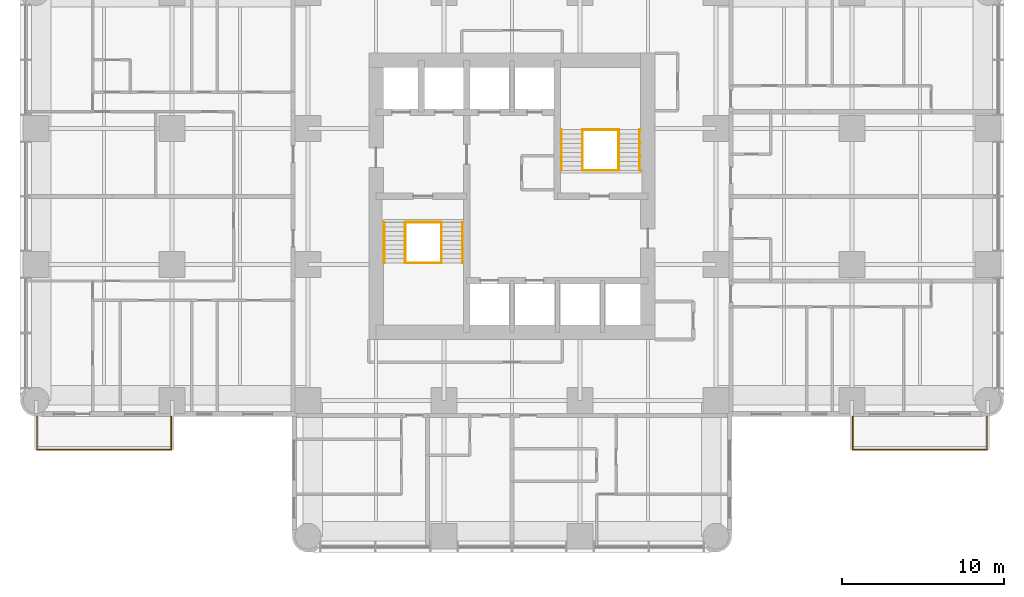
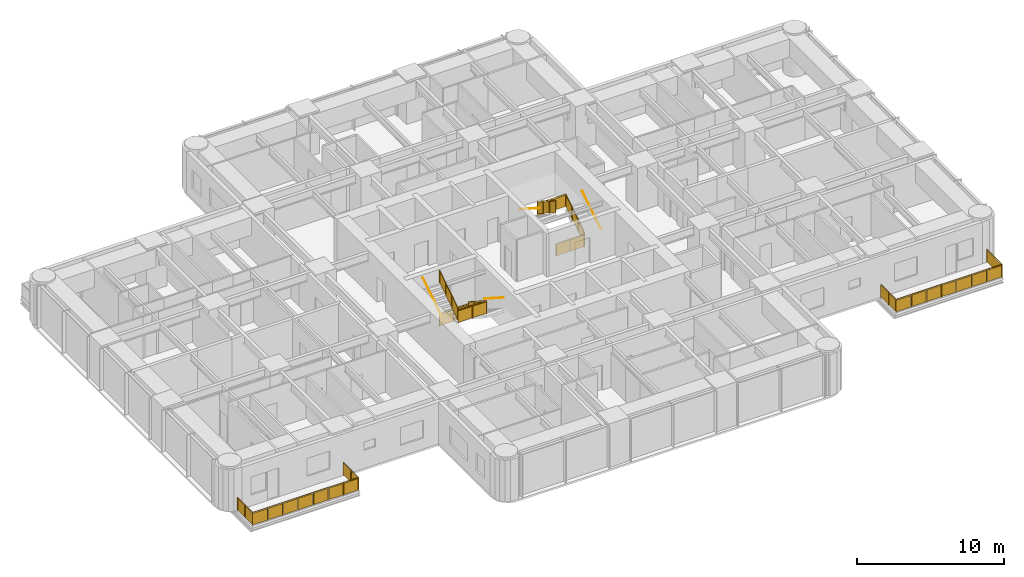
# One storey, part 13 of 14: 14 railings.
"""IFC4 building model written with IfcOpenShell, lengths in metres."""

from ifc_helpers import new_model, si_unit, direction, frame, origin, origin_2d, place, context, subcontext, project, spatial, polyline, circle, outline, extrude, material, constituent, constituent_set, type_object, element, save


model = new_model("IFC4")

# Units and contexts
model_context = context("Model", 3, precision=1e-05, world=origin(), true_north=direction((0.0, 1.0)))
body_context = subcontext(model_context, "Body", "Model", "MODEL_VIEW")
ifc_project = project(units=[si_unit("LENGTHUNIT", "METRE"), si_unit("AREAUNIT", "SQUARE_METRE"), si_unit("VOLUMEUNIT", "CUBIC_METRE"), si_unit("PLANEANGLEUNIT", "RADIAN"), si_unit("MASSUNIT", "GRAM", prefix="KILO")], contexts=[model_context])

# Site, building, storey
site_placement = place(None, origin())
site = spatial("IfcSite", under=ifc_project, at=site_placement, CompositionType="ELEMENT")
building_placement = place(site_placement, origin())
building = spatial("IfcBuilding", under=site, at=building_placement, Name="Torre Alcanfor", CompositionType="ELEMENT")
storey_placement = place(building_placement, frame((0.0, 0.0, 166.5)))
storey = spatial("IfcBuildingStorey", under=building, at=storey_placement, Name="L43", CompositionType="ELEMENT", Elevation=166.5)

# Railings
ifc_material_1 = material(Name="Laminated safety glass", Category="glass")
ifc_constituent_1 = constituent(ifc_material_1, Name="Infill")
ifc_material_2 = material(Name="Stainless steel ASTM A554 Grade MT 316L tube", Category="steel")
ifc_constituent_2 = constituent(ifc_material_2, Name="Posts and rail")
ifc_constituent_set = constituent_set(constituents=[ifc_constituent_1, ifc_constituent_2], Name="Balcony guard glass 1100")
railing_type_1 = type_object("IfcRailingType", Name="Balcony guard glass 1100", PredefinedType="BALUSTRADE", material=ifc_constituent_set)
railing_1_placement = place(storey_placement, frame((50.449951171875, 15.800048828125, 0.0)))
element("IfcRailing", 1, at=railing_1_placement, inside=storey, type_object=railing_type_1, Name="Balcony guard L43-E2", PredefinedType="BALUSTRADE", context=body_context, shape_type="SweptSolid", body=[
    extrude(circle(Radius=0.02392578125, at=origin_2d()), frame((0.0, 0.0, 1.076171875), z_axis=(0.0, -1.0, 0.0), x_axis=(1.0, 0.0, 0.0)), (0.0, 0.0, 1.0), 2.050048828125),
    extrude(circle(Radius=0.02392578125, at=origin_2d()), frame((0.0, -2.050048828125, 1.076171875), z_axis=(1.0, 0.0, 0.0), x_axis=(0.0, 1.0, 0.0)), (0.0, 0.0, 1.0), 8.300048828125),
    extrude(circle(Radius=0.02392578125, at=origin_2d()), frame((8.300048828125, -2.050048828125, 1.076171875), z_axis=(0.0, 1.0, 0.0), x_axis=(-1.0, 0.0, 0.0)), (0.0, 0.0, 1.0), 2.050048828125),
    extrude(circle(Radius=0.02099609375, at=origin_2d()), origin(), (0.0, 0.0, 1.0), 1.052001953125),
    extrude(circle(Radius=0.02099609375, at=origin_2d()), frame((0.0, -1.02490234375, 0.0)), (0.0, 0.0, 1.0), 1.052001953125),
    extrude(circle(Radius=0.02099609375, at=origin_2d()), frame((0.0, -2.050048828125, 0.0)), (0.0, 0.0, 1.0), 1.052001953125),
    extrude(circle(Radius=0.02099609375, at=origin_2d()), frame((1.185791015625, -2.050048828125, 0.0)), (0.0, 0.0, 1.0), 1.052001953125),
    extrude(circle(Radius=0.02099609375, at=origin_2d()), frame((2.371337890625, -2.050048828125, 0.0)), (0.0, 0.0, 1.0), 1.052001953125),
    extrude(circle(Radius=0.02099609375, at=origin_2d()), frame((3.55712890625, -2.050048828125, 0.0)), (0.0, 0.0, 1.0), 1.052001953125),
    extrude(circle(Radius=0.02099609375, at=origin_2d()), frame((4.742919921875, -2.050048828125, 0.0)), (0.0, 0.0, 1.0), 1.052001953125),
    extrude(circle(Radius=0.02099609375, at=origin_2d()), frame((5.9287109375, -2.050048828125, 0.0)), (0.0, 0.0, 1.0), 1.052001953125),
    extrude(circle(Radius=0.02099609375, at=origin_2d()), frame((7.1142578125, -2.050048828125, 0.0)), (0.0, 0.0, 1.0), 1.052001953125),
    extrude(circle(Radius=0.02099609375, at=origin_2d()), frame((8.300048828125, -2.050048828125, 0.0)), (0.0, 0.0, 1.0), 1.052001953125),
    extrude(circle(Radius=0.02099609375, at=origin_2d()), frame((8.300048828125, -1.02490234375, 0.0)), (0.0, 0.0, 1.0), 1.052001953125),
    extrude(circle(Radius=0.02099609375, at=origin_2d()), frame((8.300048828125, 0.0, 0.0)), (0.0, 0.0, 1.0), 1.052001953125),
    extrude(outline(polyline([(0.041015625, 0.050048828125), (0.984130859375, 0.050048828125), (0.984130859375, 1.001953125), (0.041015625, 1.001953125), (0.041015625, 0.050048828125)])), frame((0.005859375, 0.0, 0.0), z_axis=(-1.0, 0.0, 0.0), x_axis=(0.0, -1.0, 0.0)), (0.0, 0.0, 1.0), 0.011962890625),
    extrude(outline(polyline([(1.06591796875, 0.050048828125), (2.009033203125, 0.050048828125), (2.009033203125, 1.001953125), (1.06591796875, 1.001953125), (1.06591796875, 0.050048828125)])), frame((0.005859375, 0.0, 0.0), z_axis=(-1.0, 0.0, 0.0), x_axis=(0.0, -1.0, 0.0)), (0.0, 0.0, 1.0), 0.011962890625),
    extrude(outline(polyline([(0.041015625, 0.050048828125), (1.144775390625, 0.050048828125), (1.144775390625, 1.001953125), (0.041015625, 1.001953125), (0.041015625, 0.050048828125)])), frame((0.0, -2.0439453125, 0.0), z_axis=(0.0, -1.0, 0.0), x_axis=(1.0, 0.0, 0.0)), (0.0, 0.0, 1.0), 0.011962890625),
    extrude(outline(polyline([(1.226806640625, 0.050048828125), (2.330322265625, 0.050048828125), (2.330322265625, 1.001953125), (1.226806640625, 1.001953125), (1.226806640625, 0.050048828125)])), frame((0.0, -2.0439453125, 0.0), z_axis=(0.0, -1.0, 0.0), x_axis=(1.0, 0.0, 0.0)), (0.0, 0.0, 1.0), 0.011962890625),
    extrude(outline(polyline([(2.412353515625, 0.050048828125), (3.51611328125, 0.050048828125), (3.51611328125, 1.001953125), (2.412353515625, 1.001953125), (2.412353515625, 0.050048828125)])), frame((0.0, -2.0439453125, 0.0), z_axis=(0.0, -1.0, 0.0), x_axis=(1.0, 0.0, 0.0)), (0.0, 0.0, 1.0), 0.011962890625),
    extrude(outline(polyline([(3.59814453125, 0.050048828125), (4.701904296875, 0.050048828125), (4.701904296875, 1.001953125), (3.59814453125, 1.001953125), (3.59814453125, 0.050048828125)])), frame((0.0, -2.0439453125, 0.0), z_axis=(0.0, -1.0, 0.0), x_axis=(1.0, 0.0, 0.0)), (0.0, 0.0, 1.0), 0.011962890625),
    extrude(outline(polyline([(4.783935546875, 0.050048828125), (5.8876953125, 0.050048828125), (5.8876953125, 1.001953125), (4.783935546875, 1.001953125), (4.783935546875, 0.050048828125)])), frame((0.0, -2.0439453125, 0.0), z_axis=(0.0, -1.0, 0.0), x_axis=(1.0, 0.0, 0.0)), (0.0, 0.0, 1.0), 0.011962890625),
    extrude(outline(polyline([(5.9697265625, 0.050048828125), (7.0732421875, 0.050048828125), (7.0732421875, 1.001953125), (5.9697265625, 1.001953125), (5.9697265625, 0.050048828125)])), frame((0.0, -2.0439453125, 0.0), z_axis=(0.0, -1.0, 0.0), x_axis=(1.0, 0.0, 0.0)), (0.0, 0.0, 1.0), 0.011962890625),
    extrude(outline(polyline([(7.1552734375, 0.050048828125), (8.259033203125, 0.050048828125), (8.259033203125, 1.001953125), (7.1552734375, 1.001953125), (7.1552734375, 0.050048828125)])), frame((0.0, -2.0439453125, 0.0), z_axis=(0.0, -1.0, 0.0), x_axis=(1.0, 0.0, 0.0)), (0.0, 0.0, 1.0), 0.011962890625),
    extrude(outline(polyline([(0.041015625, 0.050048828125), (0.984130859375, 0.050048828125), (0.984130859375, 1.001953125), (0.041015625, 1.001953125), (0.041015625, 0.050048828125)])), frame((8.2939453125, -2.050048828125, 0.0), z_axis=(1.0, 0.0, 0.0), x_axis=(0.0, 1.0, 0.0)), (0.0, 0.0, 1.0), 0.011962890625),
    extrude(outline(polyline([(1.06591796875, 0.050048828125), (2.009033203125, 0.050048828125), (2.009033203125, 1.001953125), (1.06591796875, 1.001953125), (1.06591796875, 0.050048828125)])), frame((8.2939453125, -2.050048828125, 0.0), z_axis=(1.0, 0.0, 0.0), x_axis=(0.0, 1.0, 0.0)), (0.0, 0.0, 1.0), 0.011962890625),
])
railing_2_placement = place(storey_placement, frame((8.35009765625, 15.800048828125, 0.0)))
element("IfcRailing", 2, at=railing_2_placement, inside=storey, type_object=railing_type_1, Name="Balcony guard L43-W1", PredefinedType="BALUSTRADE", context=body_context, shape_type="SweptSolid", body=[
    extrude(circle(Radius=0.02392578125, at=origin_2d()), frame((0.0, 0.0, 1.076171875), z_axis=(0.0, -1.0, 0.0), x_axis=(1.0, 0.0, 0.0)), (0.0, 0.0, 1.0), 2.050048828125),
    extrude(circle(Radius=0.02392578125, at=origin_2d()), frame((0.0, -2.050048828125, 1.076171875), z_axis=(-1.0, 0.0, 0.0), x_axis=(0.0, -1.0, 0.0)), (0.0, 0.0, 1.0), 8.300048828125),
    extrude(circle(Radius=0.02392578125, at=origin_2d()), frame((-8.300048828125, -2.050048828125, 1.076171875), z_axis=(0.0, 1.0, 0.0), x_axis=(-1.0, 0.0, 0.0)), (0.0, 0.0, 1.0), 2.050048828125),
    extrude(circle(Radius=0.02099609375, at=origin_2d()), origin(), (0.0, 0.0, 1.0), 1.052001953125),
    extrude(circle(Radius=0.02099609375, at=origin_2d()), frame((0.0, -1.02490234375, 0.0)), (0.0, 0.0, 1.0), 1.052001953125),
    extrude(circle(Radius=0.02099609375, at=origin_2d()), frame((0.0, -2.050048828125, 0.0)), (0.0, 0.0, 1.0), 1.052001953125),
    extrude(circle(Radius=0.02099609375, at=origin_2d()), frame((-1.185791015625, -2.050048828125, 0.0)), (0.0, 0.0, 1.0), 1.052001953125),
    extrude(circle(Radius=0.02099609375, at=origin_2d()), frame((-2.371337890625, -2.050048828125, 0.0)), (0.0, 0.0, 1.0), 1.052001953125),
    extrude(circle(Radius=0.02099609375, at=origin_2d()), frame((-3.55712890625, -2.050048828125, 0.0)), (0.0, 0.0, 1.0), 1.052001953125),
    extrude(circle(Radius=0.02099609375, at=origin_2d()), frame((-4.742919921875, -2.050048828125, 0.0)), (0.0, 0.0, 1.0), 1.052001953125),
    extrude(circle(Radius=0.02099609375, at=origin_2d()), frame((-5.9287109375, -2.050048828125, 0.0)), (0.0, 0.0, 1.0), 1.052001953125),
    extrude(circle(Radius=0.02099609375, at=origin_2d()), frame((-7.1142578125, -2.050048828125, 0.0)), (0.0, 0.0, 1.0), 1.052001953125),
    extrude(circle(Radius=0.02099609375, at=origin_2d()), frame((-8.300048828125, -2.050048828125, 0.0)), (0.0, 0.0, 1.0), 1.052001953125),
    extrude(circle(Radius=0.02099609375, at=origin_2d()), frame((-8.300048828125, -1.02490234375, 0.0)), (0.0, 0.0, 1.0), 1.052001953125),
    extrude(circle(Radius=0.02099609375, at=origin_2d()), frame((-8.300048828125, 0.0, 0.0)), (0.0, 0.0, 1.0), 1.052001953125),
    extrude(outline(polyline([(0.041015625, 0.050048828125), (0.984130859375, 0.050048828125), (0.984130859375, 1.001953125), (0.041015625, 1.001953125), (0.041015625, 0.050048828125)])), frame((0.005859375, 0.0, 0.0), z_axis=(-1.0, 0.0, 0.0), x_axis=(0.0, -1.0, 0.0)), (0.0, 0.0, 1.0), 0.011962890625),
    extrude(outline(polyline([(1.06591796875, 0.050048828125), (2.009033203125, 0.050048828125), (2.009033203125, 1.001953125), (1.06591796875, 1.001953125), (1.06591796875, 0.050048828125)])), frame((0.005859375, 0.0, 0.0), z_axis=(-1.0, 0.0, 0.0), x_axis=(0.0, -1.0, 0.0)), (0.0, 0.0, 1.0), 0.011962890625),
    extrude(outline(polyline([(0.041015625, 0.050048828125), (1.144775390625, 0.050048828125), (1.144775390625, 1.001953125), (0.041015625, 1.001953125), (0.041015625, 0.050048828125)])), frame((0.0, -2.05615234375, 0.0), z_axis=(0.0, 1.0, 0.0), x_axis=(-1.0, 0.0, 0.0)), (0.0, 0.0, 1.0), 0.011962890625),
    extrude(outline(polyline([(1.226806640625, 0.050048828125), (2.330322265625, 0.050048828125), (2.330322265625, 1.001953125), (1.226806640625, 1.001953125), (1.226806640625, 0.050048828125)])), frame((0.0, -2.05615234375, 0.0), z_axis=(0.0, 1.0, 0.0), x_axis=(-1.0, 0.0, 0.0)), (0.0, 0.0, 1.0), 0.011962890625),
    extrude(outline(polyline([(2.412353515625, 0.050048828125), (3.51611328125, 0.050048828125), (3.51611328125, 1.001953125), (2.412353515625, 1.001953125), (2.412353515625, 0.050048828125)])), frame((0.0, -2.05615234375, 0.0), z_axis=(0.0, 1.0, 0.0), x_axis=(-1.0, 0.0, 0.0)), (0.0, 0.0, 1.0), 0.011962890625),
    extrude(outline(polyline([(3.59814453125, 0.050048828125), (4.701904296875, 0.050048828125), (4.701904296875, 1.001953125), (3.59814453125, 1.001953125), (3.59814453125, 0.050048828125)])), frame((0.0, -2.05615234375, 0.0), z_axis=(0.0, 1.0, 0.0), x_axis=(-1.0, 0.0, 0.0)), (0.0, 0.0, 1.0), 0.011962890625),
    extrude(outline(polyline([(4.783935546875, 0.050048828125), (5.8876953125, 0.050048828125), (5.8876953125, 1.001953125), (4.783935546875, 1.001953125), (4.783935546875, 0.050048828125)])), frame((0.0, -2.05615234375, 0.0), z_axis=(0.0, 1.0, 0.0), x_axis=(-1.0, 0.0, 0.0)), (0.0, 0.0, 1.0), 0.011962890625),
    extrude(outline(polyline([(5.9697265625, 0.050048828125), (7.0732421875, 0.050048828125), (7.0732421875, 1.001953125), (5.9697265625, 1.001953125), (5.9697265625, 0.050048828125)])), frame((0.0, -2.05615234375, 0.0), z_axis=(0.0, 1.0, 0.0), x_axis=(-1.0, 0.0, 0.0)), (0.0, 0.0, 1.0), 0.011962890625),
    extrude(outline(polyline([(7.1552734375, 0.050048828125), (8.259033203125, 0.050048828125), (8.259033203125, 1.001953125), (7.1552734375, 1.001953125), (7.1552734375, 0.050048828125)])), frame((0.0, -2.05615234375, 0.0), z_axis=(0.0, 1.0, 0.0), x_axis=(-1.0, 0.0, 0.0)), (0.0, 0.0, 1.0), 0.011962890625),
    extrude(outline(polyline([(0.041015625, 0.050048828125), (0.984130859375, 0.050048828125), (0.984130859375, 1.001953125), (0.041015625, 1.001953125), (0.041015625, 0.050048828125)])), frame((-8.30615234375, -2.050048828125, 0.0), z_axis=(1.0, 0.0, 0.0), x_axis=(0.0, 1.0, 0.0)), (0.0, 0.0, 1.0), 0.011962890625),
    extrude(outline(polyline([(1.06591796875, 0.050048828125), (2.009033203125, 0.050048828125), (2.009033203125, 1.001953125), (1.06591796875, 1.001953125), (1.06591796875, 0.050048828125)])), frame((-8.30615234375, -2.050048828125, 0.0), z_axis=(1.0, 0.0, 0.0), x_axis=(0.0, 1.0, 0.0)), (0.0, 0.0, 1.0), 0.011962890625),
])
ifc_material_3 = material(Name="Steel ASTM A500 Grade C hollow sections", Category="steel")
railing_type_2 = type_object("IfcRailingType", Name="Stair guard and handrail 1100", PredefinedType="GUARDRAIL", material=ifc_material_3)
railing_3_placement = place(storey_placement, frame((25.050048828125, 27.800048828125, 0.179931640625)))
element("IfcRailing", 3, at=railing_3_placement, inside=storey, type_object=railing_type_2, Name="Stair guard S1 L43 flight 1", PredefinedType="GUARDRAIL", context=body_context, shape_type="SweptSolid", body=[
    extrude(circle(Radius=0.02392578125, at=origin_2d()), frame((0.0, 0.0, 1.076171875), z_axis=(0.0, -0.841162588446, 0.540782303519), x_axis=(1.0, 0.0, 0.0)), (0.0, 0.0, 1.0), 2.995849609375),
    extrude(circle(Radius=0.02099609375, at=origin_2d()), origin(), (0.0, 0.0, 1.0), 1.052001953125),
    extrude(circle(Radius=0.02099609375, at=origin_2d()), frame((0.0, -0.840087890625, 0.5400390625)), (0.0, 0.0, 1.0), 1.052001953125),
    extrude(circle(Radius=0.02099609375, at=origin_2d()), frame((0.0, -1.679931640625, 1.080078125)), (0.0, 0.0, 1.0), 1.052001953125),
    extrude(circle(Radius=0.02099609375, at=origin_2d()), frame((0.0, -2.52001953125, 1.6201171875)), (0.0, 0.0, 1.0), 1.052001953125),
    extrude(outline(polyline([(0.041015625, 0.076416015625), (0.799072265625, 0.563720703125), (0.799072265625, 1.515625), (0.041015625, 1.0283203125), (0.041015625, 0.076416015625)])), frame((0.005859375, 0.0, 0.0), z_axis=(-1.0, 0.0, 0.0), x_axis=(0.0, -1.0, 0.0)), (0.0, 0.0, 1.0), 0.011962890625),
    extrude(outline(polyline([(0.881103515625, 0.616455078125), (1.638916015625, 1.103759765625), (1.638916015625, 2.0556640625), (0.881103515625, 1.568359375), (0.881103515625, 0.616455078125)])), frame((0.005859375, 0.0, 0.0), z_axis=(-1.0, 0.0, 0.0), x_axis=(0.0, -1.0, 0.0)), (0.0, 0.0, 1.0), 0.011962890625),
    extrude(outline(polyline([(1.720947265625, 1.156494140625), (2.47900390625, 1.643798828125), (2.47900390625, 2.595703125), (1.720947265625, 2.1083984375), (1.720947265625, 1.156494140625)])), frame((0.005859375, 0.0, 0.0), z_axis=(-1.0, 0.0, 0.0), x_axis=(0.0, -1.0, 0.0)), (0.0, 0.0, 1.0), 0.011962890625),
])
railing_4_placement = place(storey_placement, frame((22.800048828125, 25.280029296875, 1.97998046875)))
element("IfcRailing", 4, at=railing_4_placement, inside=storey, type_object=railing_type_2, Name="Stair guard S1 L43 flight 2", PredefinedType="GUARDRAIL", context=body_context, shape_type="SweptSolid", body=[
    extrude(circle(Radius=0.02392578125, at=origin_2d()), frame((0.0, 0.0, 1.076171875), z_axis=(0.0, 0.841162588446, 0.540782303519), x_axis=(-1.0, 0.0, 0.0)), (0.0, 0.0, 1.0), 2.995849609375),
    extrude(circle(Radius=0.02099609375, at=origin_2d()), origin(), (0.0, 0.0, 1.0), 1.052001953125),
    extrude(circle(Radius=0.02099609375, at=origin_2d()), frame((0.0, 0.840087890625, 0.5400390625)), (0.0, 0.0, 1.0), 1.052001953125),
    extrude(circle(Radius=0.02099609375, at=origin_2d()), frame((0.0, 1.679931640625, 1.080078125)), (0.0, 0.0, 1.0), 1.052001953125),
    extrude(circle(Radius=0.02099609375, at=origin_2d()), frame((0.0, 2.52001953125, 1.6201171875)), (0.0, 0.0, 1.0), 1.052001953125),
    extrude(outline(polyline([(0.041015625, 0.076416015625), (0.799072265625, 0.563720703125), (0.799072265625, 1.515625), (0.041015625, 1.0283203125), (0.041015625, 0.076416015625)])), frame((-0.005859375, 0.0, 0.0), z_axis=(1.0, 0.0, 0.0), x_axis=(0.0, 1.0, 0.0)), (0.0, 0.0, 1.0), 0.011962890625),
    extrude(outline(polyline([(0.881103515625, 0.616455078125), (1.638916015625, 1.103759765625), (1.638916015625, 2.0556640625), (0.881103515625, 1.568359375), (0.881103515625, 0.616455078125)])), frame((-0.005859375, 0.0, 0.0), z_axis=(1.0, 0.0, 0.0), x_axis=(0.0, 1.0, 0.0)), (0.0, 0.0, 1.0), 0.011962890625),
    extrude(outline(polyline([(1.720947265625, 1.156494140625), (2.47900390625, 1.643798828125), (2.47900390625, 2.595703125), (1.720947265625, 2.1083984375), (1.720947265625, 1.156494140625)])), frame((-0.005859375, 0.0, 0.0), z_axis=(1.0, 0.0, 0.0), x_axis=(0.0, 1.0, 0.0)), (0.0, 0.0, 1.0), 0.011962890625),
])
for number, where, name in (
    (5, (22.800048828125, 27.800048828125, 0.0), "Stair well guard S1 L43 floor landing"),
    (6, (22.800048828125, 25.280029296875, 1.800048828125), "Stair well guard S1 L43 half landing"),
):
    element("IfcRailing", number, at=place(storey_placement, frame(where)), inside=storey, type_object=railing_type_2, Name=name, PredefinedType="GUARDRAIL", context=body_context, shape_type="SweptSolid", body=[
        extrude(circle(Radius=0.02392578125, at=origin_2d()), frame((0.0, 0.0, 1.076171875), z_axis=(1.0, 0.0, 0.0), x_axis=(0.0, 1.0, 0.0)), (0.0, 0.0, 1.0), 2.25),
        extrude(circle(Radius=0.02099609375, at=origin_2d()), origin(), (0.0, 0.0, 1.0), 1.052001953125),
        extrude(circle(Radius=0.02099609375, at=origin_2d()), frame((1.125, 0.0, 0.0)), (0.0, 0.0, 1.0), 1.052001953125),
        extrude(circle(Radius=0.02099609375, at=origin_2d()), frame((2.25, 0.0, 0.0)), (0.0, 0.0, 1.0), 1.052001953125),
        extrude(outline(polyline([(0.041015625, 0.050048828125), (1.083984375, 0.050048828125), (1.083984375, 1.001953125), (0.041015625, 1.001953125), (0.041015625, 0.050048828125)])), frame((0.0, 0.005859375, 0.0), z_axis=(0.0, -1.0, 0.0), x_axis=(1.0, 0.0, 0.0)), (0.0, 0.0, 1.0), 0.011962890625),
        extrude(outline(polyline([(1.166015625, 0.050048828125), (2.208984375, 0.050048828125), (2.208984375, 1.001953125), (1.166015625, 1.001953125), (1.166015625, 0.050048828125)])), frame((0.0, 0.005859375, 0.0), z_axis=(0.0, -1.0, 0.0), x_axis=(1.0, 0.0, 0.0)), (0.0, 0.0, 1.0), 0.011962890625),
    ])
railing_5_placement = place(storey_placement, frame((36.0, 31.0, 0.179931640625)))
element("IfcRailing", 7, at=railing_5_placement, inside=storey, type_object=railing_type_2, Name="Stair guard S2 L43 flight 1", PredefinedType="GUARDRAIL", context=body_context, shape_type="SweptSolid", body=[
    extrude(circle(Radius=0.02392578125, at=origin_2d()), frame((0.0, 0.0, 1.076171875), z_axis=(0.0, 0.841162588446, 0.540782303519), x_axis=(-1.0, 0.0, 0.0)), (0.0, 0.0, 1.0), 2.995849609375),
    extrude(circle(Radius=0.02099609375, at=origin_2d()), origin(), (0.0, 0.0, 1.0), 1.052001953125),
    extrude(circle(Radius=0.02099609375, at=origin_2d()), frame((0.0, 0.840087890625, 0.5400390625)), (0.0, 0.0, 1.0), 1.052001953125),
    extrude(circle(Radius=0.02099609375, at=origin_2d()), frame((0.0, 1.679931640625, 1.080078125)), (0.0, 0.0, 1.0), 1.052001953125),
    extrude(circle(Radius=0.02099609375, at=origin_2d()), frame((0.0, 2.52001953125, 1.6201171875)), (0.0, 0.0, 1.0), 1.052001953125),
    extrude(outline(polyline([(0.041015625, 0.076416015625), (0.799072265625, 0.563720703125), (0.799072265625, 1.515625), (0.041015625, 1.0283203125), (0.041015625, 0.076416015625)])), frame((-0.005859375, 0.0, 0.0), z_axis=(1.0, 0.0, 0.0), x_axis=(0.0, 1.0, 0.0)), (0.0, 0.0, 1.0), 0.011962890625),
    extrude(outline(polyline([(0.881103515625, 0.616455078125), (1.638916015625, 1.103759765625), (1.638916015625, 2.0556640625), (0.881103515625, 1.568359375), (0.881103515625, 0.616455078125)])), frame((-0.005859375, 0.0, 0.0), z_axis=(1.0, 0.0, 0.0), x_axis=(0.0, 1.0, 0.0)), (0.0, 0.0, 1.0), 0.011962890625),
    extrude(outline(polyline([(1.720947265625, 1.156494140625), (2.47900390625, 1.643798828125), (2.47900390625, 2.595703125), (1.720947265625, 2.1083984375), (1.720947265625, 1.156494140625)])), frame((-0.005859375, 0.0, 0.0), z_axis=(1.0, 0.0, 0.0), x_axis=(0.0, 1.0, 0.0)), (0.0, 0.0, 1.0), 0.011962890625),
])
railing_6_placement = place(storey_placement, frame((33.75, 33.52001953125, 1.97998046875)))
element("IfcRailing", 8, at=railing_6_placement, inside=storey, type_object=railing_type_2, Name="Stair guard S2 L43 flight 2", PredefinedType="GUARDRAIL", context=body_context, shape_type="SweptSolid", body=[
    extrude(circle(Radius=0.02392578125, at=origin_2d()), frame((0.0, 0.0, 1.076171875), z_axis=(0.0, -0.841162588446, 0.540782303519), x_axis=(1.0, 0.0, 0.0)), (0.0, 0.0, 1.0), 2.995849609375),
    extrude(circle(Radius=0.02099609375, at=origin_2d()), origin(), (0.0, 0.0, 1.0), 1.052001953125),
    extrude(circle(Radius=0.02099609375, at=origin_2d()), frame((0.0, -0.840087890625, 0.5400390625)), (0.0, 0.0, 1.0), 1.052001953125),
    extrude(circle(Radius=0.02099609375, at=origin_2d()), frame((0.0, -1.679931640625, 1.080078125)), (0.0, 0.0, 1.0), 1.052001953125),
    extrude(circle(Radius=0.02099609375, at=origin_2d()), frame((0.0, -2.52001953125, 1.6201171875)), (0.0, 0.0, 1.0), 1.052001953125),
    extrude(outline(polyline([(0.041015625, 0.076416015625), (0.799072265625, 0.563720703125), (0.799072265625, 1.515625), (0.041015625, 1.0283203125), (0.041015625, 0.076416015625)])), frame((0.005859375, 0.0, 0.0), z_axis=(-1.0, 0.0, 0.0), x_axis=(0.0, -1.0, 0.0)), (0.0, 0.0, 1.0), 0.011962890625),
    extrude(outline(polyline([(0.881103515625, 0.616455078125), (1.638916015625, 1.103759765625), (1.638916015625, 2.0556640625), (0.881103515625, 1.568359375), (0.881103515625, 0.616455078125)])), frame((0.005859375, 0.0, 0.0), z_axis=(-1.0, 0.0, 0.0), x_axis=(0.0, -1.0, 0.0)), (0.0, 0.0, 1.0), 0.011962890625),
    extrude(outline(polyline([(1.720947265625, 1.156494140625), (2.47900390625, 1.643798828125), (2.47900390625, 2.595703125), (1.720947265625, 2.1083984375), (1.720947265625, 1.156494140625)])), frame((0.005859375, 0.0, 0.0), z_axis=(-1.0, 0.0, 0.0), x_axis=(0.0, -1.0, 0.0)), (0.0, 0.0, 1.0), 0.011962890625),
])
for number, where, name in (
    (9, (33.75, 31.0, 0.0), "Stair well guard S2 L43 floor landing"),
    (10, (33.75, 33.52001953125, 1.800048828125), "Stair well guard S2 L43 half landing"),
):
    element("IfcRailing", number, at=place(storey_placement, frame(where)), inside=storey, type_object=railing_type_2, Name=name, PredefinedType="GUARDRAIL", context=body_context, shape_type="SweptSolid", body=[
        extrude(circle(Radius=0.02392578125, at=origin_2d()), frame((0.0, 0.0, 1.076171875), z_axis=(1.0, 0.0, 0.0), x_axis=(0.0, 1.0, 0.0)), (0.0, 0.0, 1.0), 2.25),
        extrude(circle(Radius=0.02099609375, at=origin_2d()), origin(), (0.0, 0.0, 1.0), 1.052001953125),
        extrude(circle(Radius=0.02099609375, at=origin_2d()), frame((1.125, 0.0, 0.0)), (0.0, 0.0, 1.0), 1.052001953125),
        extrude(circle(Radius=0.02099609375, at=origin_2d()), frame((2.25, 0.0, 0.0)), (0.0, 0.0, 1.0), 1.052001953125),
        extrude(outline(polyline([(0.041015625, 0.050048828125), (1.083984375, 0.050048828125), (1.083984375, 1.001953125), (0.041015625, 1.001953125), (0.041015625, 0.050048828125)])), frame((0.0, 0.005859375, 0.0), z_axis=(0.0, -1.0, 0.0), x_axis=(1.0, 0.0, 0.0)), (0.0, 0.0, 1.0), 0.011962890625),
        extrude(outline(polyline([(1.166015625, 0.050048828125), (2.208984375, 0.050048828125), (2.208984375, 1.001953125), (1.166015625, 1.001953125), (1.166015625, 0.050048828125)])), frame((0.0, 0.005859375, 0.0), z_axis=(0.0, -1.0, 0.0), x_axis=(1.0, 0.0, 0.0)), (0.0, 0.0, 1.0), 0.011962890625),
    ])
ifc_material_4 = material(Name="Steel ASTM A500 Grade C hollow sections", Category="steel")
railing_type_3 = type_object("IfcRailingType", Name="Stair wall handrail 900", PredefinedType="HANDRAIL", material=ifc_material_4)
railing_7_placement = place(storey_placement, frame((26.3349609375, 27.800048828125, 0.179931640625)))
element("IfcRailing", 11, at=railing_7_placement, inside=storey, type_object=railing_type_3, Name="Stair handrail S1 L43 flight 1", PredefinedType="HANDRAIL", context=body_context, shape_type="SweptSolid", body=[
    extrude(circle(Radius=0.02392578125, at=origin_2d()), frame((0.0, 0.0, 0.8759765625), z_axis=(0.0, -0.841162588446, 0.540782303519), x_axis=(1.0, 0.0, 0.0)), (0.0, 0.0, 1.0), 2.995849609375),
    extrude(circle(Radius=0.008056640625, at=origin_2d()), frame((0.0, 0.0, 0.8759765625), z_axis=(1.0, 0.0, 0.0), x_axis=(0.0, 0.0, 1.0)), (0.0, 0.0, 1.0), 0.06494140625),
    extrude(circle(Radius=0.008056640625, at=origin_2d()), frame((0.0, -0.840087890625, 1.416015625), z_axis=(1.0, 0.0, 0.0), x_axis=(0.0, 0.0, 1.0)), (0.0, 0.0, 1.0), 0.06494140625),
    extrude(circle(Radius=0.008056640625, at=origin_2d()), frame((0.0, -1.679931640625, 1.9560546875), z_axis=(1.0, 0.0, 0.0), x_axis=(0.0, 0.0, 1.0)), (0.0, 0.0, 1.0), 0.06494140625),
    extrude(circle(Radius=0.008056640625, at=origin_2d()), frame((0.0, -2.52001953125, 2.49609375), z_axis=(1.0, 0.0, 0.0), x_axis=(0.0, 0.0, 1.0)), (0.0, 0.0, 1.0), 0.06494140625),
])
railing_8_placement = place(storey_placement, frame((21.514892578125, 25.280029296875, 1.97998046875)))
element("IfcRailing", 12, at=railing_8_placement, inside=storey, type_object=railing_type_3, Name="Stair handrail S1 L43 flight 2", PredefinedType="HANDRAIL", context=body_context, shape_type="SweptSolid", body=[
    extrude(circle(Radius=0.02392578125, at=origin_2d()), frame((0.0, 0.0, 0.8759765625), z_axis=(0.0, 0.841162588446, 0.540782303519), x_axis=(-1.0, 0.0, 0.0)), (0.0, 0.0, 1.0), 2.995849609375),
    extrude(circle(Radius=0.008056640625, at=origin_2d()), frame((0.0, 0.0, 0.8759765625), z_axis=(-1.0, 0.0, 0.0), x_axis=(0.0, 0.0, 1.0)), (0.0, 0.0, 1.0), 0.06494140625),
    extrude(circle(Radius=0.008056640625, at=origin_2d()), frame((0.0, 0.840087890625, 1.416015625), z_axis=(-1.0, 0.0, 0.0), x_axis=(0.0, 0.0, 1.0)), (0.0, 0.0, 1.0), 0.06494140625),
    extrude(circle(Radius=0.008056640625, at=origin_2d()), frame((0.0, 1.679931640625, 1.9560546875), z_axis=(-1.0, 0.0, 0.0), x_axis=(0.0, 0.0, 1.0)), (0.0, 0.0, 1.0), 0.06494140625),
    extrude(circle(Radius=0.008056640625, at=origin_2d()), frame((0.0, 2.52001953125, 2.49609375), z_axis=(-1.0, 0.0, 0.0), x_axis=(0.0, 0.0, 1.0)), (0.0, 0.0, 1.0), 0.06494140625),
])
railing_9_placement = place(storey_placement, frame((37.284912109375, 31.0, 0.179931640625)))
element("IfcRailing", 13, at=railing_9_placement, inside=storey, type_object=railing_type_3, Name="Stair handrail S2 L43 flight 1", PredefinedType="HANDRAIL", context=body_context, shape_type="SweptSolid", body=[
    extrude(circle(Radius=0.02392578125, at=origin_2d()), frame((0.0, 0.0, 0.8759765625), z_axis=(0.0, 0.841162588446, 0.540782303519), x_axis=(-1.0, 0.0, 0.0)), (0.0, 0.0, 1.0), 2.995849609375),
    extrude(circle(Radius=0.008056640625, at=origin_2d()), frame((0.0, 0.0, 0.8759765625), z_axis=(1.0, 0.0, 0.0), x_axis=(0.0, 0.0, 1.0)), (0.0, 0.0, 1.0), 0.06494140625),
    extrude(circle(Radius=0.008056640625, at=origin_2d()), frame((0.0, 0.840087890625, 1.416015625), z_axis=(1.0, 0.0, 0.0), x_axis=(0.0, 0.0, 1.0)), (0.0, 0.0, 1.0), 0.06494140625),
    extrude(circle(Radius=0.008056640625, at=origin_2d()), frame((0.0, 1.679931640625, 1.9560546875), z_axis=(1.0, 0.0, 0.0), x_axis=(0.0, 0.0, 1.0)), (0.0, 0.0, 1.0), 0.06494140625),
    extrude(circle(Radius=0.008056640625, at=origin_2d()), frame((0.0, 2.52001953125, 2.49609375), z_axis=(1.0, 0.0, 0.0), x_axis=(0.0, 0.0, 1.0)), (0.0, 0.0, 1.0), 0.06494140625),
])
railing_10_placement = place(storey_placement, frame((32.465087890625, 33.52001953125, 1.97998046875)))
element("IfcRailing", 14, at=railing_10_placement, inside=storey, type_object=railing_type_3, Name="Stair handrail S2 L43 flight 2", PredefinedType="HANDRAIL", context=body_context, shape_type="SweptSolid", body=[
    extrude(circle(Radius=0.02392578125, at=origin_2d()), frame((0.0, 0.0, 0.8759765625), z_axis=(0.0, -0.841162588446, 0.540782303519), x_axis=(1.0, 0.0, 0.0)), (0.0, 0.0, 1.0), 2.995849609375),
    extrude(circle(Radius=0.008056640625, at=origin_2d()), frame((0.0, 0.0, 0.8759765625), z_axis=(-1.0, 0.0, 0.0), x_axis=(0.0, 0.0, 1.0)), (0.0, 0.0, 1.0), 0.06494140625),
    extrude(circle(Radius=0.008056640625, at=origin_2d()), frame((0.0, -0.840087890625, 1.416015625), z_axis=(-1.0, 0.0, 0.0), x_axis=(0.0, 0.0, 1.0)), (0.0, 0.0, 1.0), 0.06494140625),
    extrude(circle(Radius=0.008056640625, at=origin_2d()), frame((0.0, -1.679931640625, 1.9560546875), z_axis=(-1.0, 0.0, 0.0), x_axis=(0.0, 0.0, 1.0)), (0.0, 0.0, 1.0), 0.06494140625),
    extrude(circle(Radius=0.008056640625, at=origin_2d()), frame((0.0, -2.52001953125, 2.49609375), z_axis=(-1.0, 0.0, 0.0), x_axis=(0.0, 0.0, 1.0)), (0.0, 0.0, 1.0), 0.06494140625),
])

save(model, "model.ifc")
